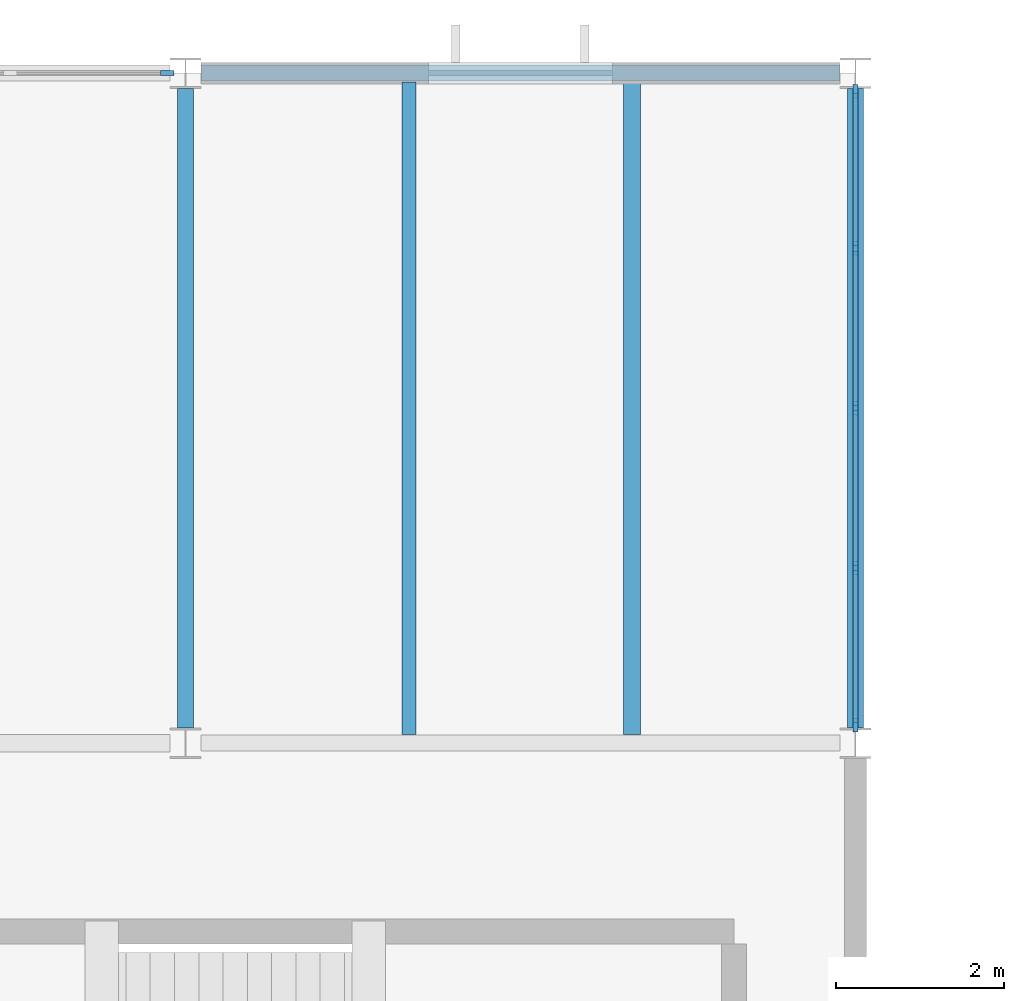
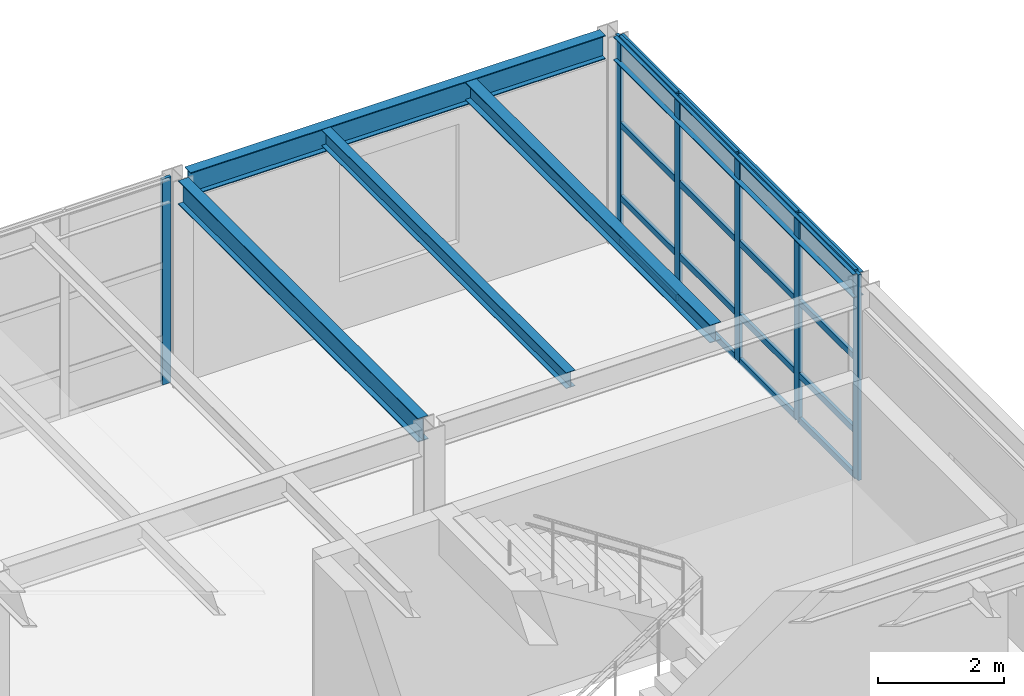
# One storey, part 30 of 50: 22 members, 5 beams, 2 elements without a shape of their own.
"""IFC4 building model written with IfcOpenShell, lengths in metres."""

from ifc_helpers import new_model, si_unit, direction, frame, origin, origin_2d, place, context, subcontext, project, spatial, rectangle, i_section, extrude, material, layer, layer_set, material_profile, profile_set, type_object, element, aggregate, save


model = new_model("IFC4")

# Units and contexts
model_context = context("Model", 3, precision=1e-05, world=origin(), true_north=direction((0.0, 1.0)))
body_context = subcontext(model_context, "Body", "Model", "MODEL_VIEW")
ifc_project = project(units=[si_unit("LENGTHUNIT", "METRE"), si_unit("AREAUNIT", "SQUARE_METRE"), si_unit("VOLUMEUNIT", "CUBIC_METRE"), si_unit("PLANEANGLEUNIT", "RADIAN"), si_unit("MASSUNIT", "GRAM", prefix="KILO")], contexts=[model_context])

# Site, building, storey
site_placement = place(None, origin())
site = spatial("IfcSite", under=ifc_project, at=site_placement, CompositionType="ELEMENT")
building_placement = place(site_placement, origin())
building = spatial("IfcBuilding", under=site, at=building_placement, Name="Varnela Railside Interchange", CompositionType="ELEMENT")
storey_placement = place(building_placement, frame((0.0, 0.0, 15.39990234375)))
storey = spatial("IfcBuildingStorey", under=building, at=storey_placement, Name="L03", CompositionType="ELEMENT", Elevation=15.39990234375)

# Beams
ifc_material_1 = material(Name="Steel AR 350 (350 MPa)", Category="steel")
ifc_material_profile_1 = material_profile(ifc_material_1, i_section(OverallWidth=0.1650390625, OverallDepth=0.31005859375, WebThickness=0.005859375, FlangeThickness=0.009765625, at=origin_2d()), Name="W310x38.7")
ifc_profile_set_1 = profile_set([ifc_material_profile_1], Name="Steel AR 350 (350 MPa)")
beam_type_1 = type_object("IfcBeamType", Name="Composite Floor Joist J-04", PredefinedType="JOIST", material=ifc_profile_set_1)
beam_1_placement = place(storey_placement, frame((134.669921875, 86.1044921875, 3.84521484375), z_axis=(0.0, 1.0, 0.0), x_axis=(-1.0, 0.0, 0.0)))
element("IfcBeam", 1, at=beam_1_placement, inside=storey, type_object=beam_type_1, Name="Composite Floor Joist J-04 (L03) (BM-2155)", PredefinedType="JOIST", context=body_context, shape_type="SweptSolid", body=[
    extrude(i_section(OverallWidth=0.1650390625, OverallDepth=0.31005859375, WebThickness=0.005859375, FlangeThickness=0.009765625, at=origin_2d()), origin(), (0.0, 0.0, 1.0), 7.791015625),
])
ifc_material_profile_2 = material_profile(ifc_material_1, i_section(OverallWidth=0.202880859375, OverallDepth=0.346923828125, WebThickness=0.0078125, FlangeThickness=0.013427734375, at=origin_2d()), Name="W360x64")
ifc_profile_set_2 = profile_set([ifc_material_profile_2], Name="Steel AR 350 (350 MPa)")
beam_type_2 = type_object("IfcBeamType", Name="Composite Heavy Joist J-01", PredefinedType="JOIST", material=ifc_profile_set_2)
beam_2_placement = place(storey_placement, frame((137.330078125, 86.1044921875, 3.82666015625), z_axis=(0.0, 1.0, 0.0), x_axis=(-1.0, 0.0, 0.0)))
element("IfcBeam", 2, at=beam_2_placement, inside=storey, type_object=beam_type_2, Name="Composite Heavy Joist J-01 (L03) (BM-2156)", PredefinedType="JOIST", context=body_context, shape_type="SweptSolid", body=[
    extrude(i_section(OverallWidth=0.202880859375, OverallDepth=0.346923828125, WebThickness=0.0078125, FlangeThickness=0.013427734375, at=origin_2d()), origin(), (0.0, 0.0, 1.0), 7.791015625),
])

# Curtain wall, member
ifc_material_2 = material(Name="Aluminium 6063-T6", Category="aluminium")
ifc_layer = layer(ifc_material_2, 0.035888671875)
ifc_layer_set = layer_set([ifc_layer], Name="Aluminium 6063-T6")
curtain_wall_type = type_object("IfcCurtainWallType", Name="Study Pavilion Gallery Curtain Wall CW-02", PredefinedType="USERDEFINED", material=ifc_layer_set)
curtain_wall_1_placement = place(storey_placement, origin())
curtain_wall_1 = element("IfcCurtainWall", 3, at=curtain_wall_1_placement, inside=storey, type_object=curtain_wall_type, Name="Curtain Wall CW-02 (L03) (CW-093)", ObjectType="CURTAIN WALL", PredefinedType="USERDEFINED")
ifc_material_profile_3 = material_profile(ifc_material_2, rectangle(XDim=0.06005859375, YDim=0.159912109375, at=origin_2d()), Name="ALU 60x160")
ifc_profile_set_3 = profile_set([ifc_material_profile_3], Name="Aluminium 6063-T6")
member_type_1 = type_object("IfcMemberType", Name="Curtain Wall Mullion ML-02", PredefinedType="MULLION", material=ifc_profile_set_3)
member_1_placement = place(storey_placement, frame((131.783447265625, 94.0, 0.0), z_axis=(0.0, 0.0, 1.0), x_axis=(0.0, 1.0, 0.0)))
member_1 = element("IfcMember", 4, at=member_1_placement, type_object=member_type_1, Name="CW-02 mullion 5", PredefinedType="MULLION", context=body_context, shape_type="SweptSolid", body=[
    extrude(rectangle(XDim=0.06005859375, YDim=0.159912109375, at=origin_2d()), origin(), (0.0, 0.0, 1.0), 4.0),
])
aggregate(curtain_wall_1, [member_1])

# Curtain wall, members
curtain_wall_2_placement = place(storey_placement, origin())
curtain_wall_2 = element("IfcCurtainWall", 5, at=curtain_wall_2_placement, inside=storey, type_object=curtain_wall_type, Name="Curtain Wall CW-02 (L03) (CW-095)", ObjectType="CURTAIN WALL", PredefinedType="USERDEFINED")
member_2_placement = place(storey_placement, frame((140.0, 93.785888671875, 0.0), z_axis=(0.0, 0.0, 1.0), x_axis=(1.0, 0.0, 0.0)))
member_2 = element("IfcMember", 6, at=member_2_placement, type_object=member_type_1, Name="CW-02 mullion 1", PredefinedType="MULLION", context=body_context, shape_type="SweptSolid", body=[
    extrude(rectangle(XDim=0.06005859375, YDim=0.159912109375, at=origin_2d()), origin(), (0.0, 0.0, 1.0), 4.0),
])
member_3_placement = place(storey_placement, frame((140.0, 91.907958984375, 0.0), z_axis=(0.0, 0.0, 1.0), x_axis=(1.0, 0.0, 0.0)))
member_3 = element("IfcMember", 7, at=member_3_placement, type_object=member_type_1, Name="CW-02 mullion 2", PredefinedType="MULLION", context=body_context, shape_type="SweptSolid", body=[
    extrude(rectangle(XDim=0.06005859375, YDim=0.159912109375, at=origin_2d()), origin(), (0.0, 0.0, 1.0), 4.0),
])
member_4_placement = place(storey_placement, frame((140.0, 90.0, 0.0), z_axis=(0.0, 0.0, 1.0), x_axis=(1.0, 0.0, 0.0)))
member_4 = element("IfcMember", 8, at=member_4_placement, type_object=member_type_1, Name="CW-02 mullion 3", PredefinedType="MULLION", context=body_context, shape_type="SweptSolid", body=[
    extrude(rectangle(XDim=0.06005859375, YDim=0.159912109375, at=origin_2d()), origin(), (0.0, 0.0, 1.0), 4.0),
])
member_5_placement = place(storey_placement, frame((140.0, 88.092041015625, 0.0), z_axis=(0.0, 0.0, 1.0), x_axis=(1.0, 0.0, 0.0)))
member_5 = element("IfcMember", 9, at=member_5_placement, type_object=member_type_1, Name="CW-02 mullion 4", PredefinedType="MULLION", context=body_context, shape_type="SweptSolid", body=[
    extrude(rectangle(XDim=0.06005859375, YDim=0.159912109375, at=origin_2d()), origin(), (0.0, 0.0, 1.0), 4.0),
])
member_6_placement = place(storey_placement, frame((140.0, 86.214111328125, 0.0), z_axis=(0.0, 0.0, 1.0), x_axis=(1.0, 0.0, 0.0)))
member_6 = element("IfcMember", 10, at=member_6_placement, type_object=member_type_1, Name="CW-02 mullion 5", PredefinedType="MULLION", context=body_context, shape_type="SweptSolid", body=[
    extrude(rectangle(XDim=0.06005859375, YDim=0.159912109375, at=origin_2d()), origin(), (0.0, 0.0, 1.0), 4.0),
])
ifc_material_profile_4 = material_profile(ifc_material_2, rectangle(XDim=0.06005859375, YDim=0.1201171875, at=origin_2d()), Name="ALU 60x120")
ifc_profile_set_4 = profile_set([ifc_material_profile_4], Name="Aluminium 6063-T6")
member_type_2 = type_object("IfcMemberType", Name="Curtain Wall Transom TR-02", PredefinedType="USERDEFINED", material=ifc_profile_set_4)
member_7_placement = place(storey_placement, frame((140.0, 93.756103515625, 0.030029296875), z_axis=(0.0, -1.0, 0.0), x_axis=(1.0, 0.0, 0.0)))
member_7 = element("IfcMember", 11, at=member_7_placement, type_object=member_type_2, Name="CW-02 transom 1.1", ObjectType="TRANSOM", PredefinedType="USERDEFINED", context=body_context, shape_type="SweptSolid", body=[
    extrude(rectangle(XDim=0.06005859375, YDim=0.1201171875, at=origin_2d()), origin(), (0.0, 0.0, 1.0), 1.818115234375),
])
member_8_placement = place(storey_placement, frame((140.0, 93.756103515625, 0.900146484375), z_axis=(0.0, -1.0, 0.0), x_axis=(1.0, 0.0, 0.0)))
member_8 = element("IfcMember", 12, at=member_8_placement, type_object=member_type_2, Name="CW-02 transom 1.2", ObjectType="TRANSOM", PredefinedType="USERDEFINED", context=body_context, shape_type="SweptSolid", body=[
    extrude(rectangle(XDim=0.06005859375, YDim=0.1201171875, at=origin_2d()), origin(), (0.0, 0.0, 1.0), 1.818115234375),
])
member_9_placement = place(storey_placement, frame((140.0, 93.756103515625, 2.320068359375), z_axis=(0.0, -1.0, 0.0), x_axis=(1.0, 0.0, 0.0)))
member_9 = element("IfcMember", 13, at=member_9_placement, type_object=member_type_2, Name="CW-02 transom 1.3", ObjectType="TRANSOM", PredefinedType="USERDEFINED", context=body_context, shape_type="SweptSolid", body=[
    extrude(rectangle(XDim=0.06005859375, YDim=0.1201171875, at=origin_2d()), origin(), (0.0, 0.0, 1.0), 1.818115234375),
])
member_10_placement = place(storey_placement, frame((140.0, 93.756103515625, 3.97021484375), z_axis=(0.0, -1.0, 0.0), x_axis=(1.0, 0.0, 0.0)))
member_10 = element("IfcMember", 14, at=member_10_placement, type_object=member_type_2, Name="CW-02 transom 1.4", ObjectType="TRANSOM", PredefinedType="USERDEFINED", context=body_context, shape_type="SweptSolid", body=[
    extrude(rectangle(XDim=0.06005859375, YDim=0.1201171875, at=origin_2d()), origin(), (0.0, 0.0, 1.0), 1.818115234375),
])
member_11_placement = place(storey_placement, frame((140.0, 91.8779296875, 0.030029296875), z_axis=(0.0, -1.0, 0.0), x_axis=(1.0, 0.0, 0.0)))
member_11 = element("IfcMember", 15, at=member_11_placement, type_object=member_type_2, Name="CW-02 transom 2.1", ObjectType="TRANSOM", PredefinedType="USERDEFINED", context=body_context, shape_type="SweptSolid", body=[
    extrude(rectangle(XDim=0.06005859375, YDim=0.1201171875, at=origin_2d()), origin(), (0.0, 0.0, 1.0), 1.847900390625),
])
member_12_placement = place(storey_placement, frame((140.0, 91.8779296875, 0.900146484375), z_axis=(0.0, -1.0, 0.0), x_axis=(1.0, 0.0, 0.0)))
member_12 = element("IfcMember", 16, at=member_12_placement, type_object=member_type_2, Name="CW-02 transom 2.2", ObjectType="TRANSOM", PredefinedType="USERDEFINED", context=body_context, shape_type="SweptSolid", body=[
    extrude(rectangle(XDim=0.06005859375, YDim=0.1201171875, at=origin_2d()), origin(), (0.0, 0.0, 1.0), 1.847900390625),
])
member_13_placement = place(storey_placement, frame((140.0, 91.8779296875, 2.320068359375), z_axis=(0.0, -1.0, 0.0), x_axis=(1.0, 0.0, 0.0)))
member_13 = element("IfcMember", 17, at=member_13_placement, type_object=member_type_2, Name="CW-02 transom 2.3", ObjectType="TRANSOM", PredefinedType="USERDEFINED", context=body_context, shape_type="SweptSolid", body=[
    extrude(rectangle(XDim=0.06005859375, YDim=0.1201171875, at=origin_2d()), origin(), (0.0, 0.0, 1.0), 1.847900390625),
])
member_14_placement = place(storey_placement, frame((140.0, 91.8779296875, 3.97021484375), z_axis=(0.0, -1.0, 0.0), x_axis=(1.0, 0.0, 0.0)))
member_14 = element("IfcMember", 18, at=member_14_placement, type_object=member_type_2, Name="CW-02 transom 2.4", ObjectType="TRANSOM", PredefinedType="USERDEFINED", context=body_context, shape_type="SweptSolid", body=[
    extrude(rectangle(XDim=0.06005859375, YDim=0.1201171875, at=origin_2d()), origin(), (0.0, 0.0, 1.0), 1.847900390625),
])
member_15_placement = place(storey_placement, frame((140.0, 89.969970703125, 0.030029296875), z_axis=(0.0, -1.0, 0.0), x_axis=(1.0, 0.0, 0.0)))
member_15 = element("IfcMember", 19, at=member_15_placement, type_object=member_type_2, Name="CW-02 transom 3.1", ObjectType="TRANSOM", PredefinedType="USERDEFINED", context=body_context, shape_type="SweptSolid", body=[
    extrude(rectangle(XDim=0.06005859375, YDim=0.1201171875, at=origin_2d()), origin(), (0.0, 0.0, 1.0), 1.847900390625),
])
member_16_placement = place(storey_placement, frame((140.0, 89.969970703125, 0.900146484375), z_axis=(0.0, -1.0, 0.0), x_axis=(1.0, 0.0, 0.0)))
member_16 = element("IfcMember", 20, at=member_16_placement, type_object=member_type_2, Name="CW-02 transom 3.2", ObjectType="TRANSOM", PredefinedType="USERDEFINED", context=body_context, shape_type="SweptSolid", body=[
    extrude(rectangle(XDim=0.06005859375, YDim=0.1201171875, at=origin_2d()), origin(), (0.0, 0.0, 1.0), 1.847900390625),
])
member_17_placement = place(storey_placement, frame((140.0, 89.969970703125, 2.320068359375), z_axis=(0.0, -1.0, 0.0), x_axis=(1.0, 0.0, 0.0)))
member_17 = element("IfcMember", 21, at=member_17_placement, type_object=member_type_2, Name="CW-02 transom 3.3", ObjectType="TRANSOM", PredefinedType="USERDEFINED", context=body_context, shape_type="SweptSolid", body=[
    extrude(rectangle(XDim=0.06005859375, YDim=0.1201171875, at=origin_2d()), origin(), (0.0, 0.0, 1.0), 1.847900390625),
])
member_18_placement = place(storey_placement, frame((140.0, 89.969970703125, 3.97021484375), z_axis=(0.0, -1.0, 0.0), x_axis=(1.0, 0.0, 0.0)))
member_18 = element("IfcMember", 22, at=member_18_placement, type_object=member_type_2, Name="CW-02 transom 3.4", ObjectType="TRANSOM", PredefinedType="USERDEFINED", context=body_context, shape_type="SweptSolid", body=[
    extrude(rectangle(XDim=0.06005859375, YDim=0.1201171875, at=origin_2d()), origin(), (0.0, 0.0, 1.0), 1.847900390625),
])
member_19_placement = place(storey_placement, frame((140.0, 88.06201171875, 0.030029296875), z_axis=(0.0, -1.0, 0.0), x_axis=(1.0, 0.0, 0.0)))
member_19 = element("IfcMember", 23, at=member_19_placement, type_object=member_type_2, Name="CW-02 transom 4.1", ObjectType="TRANSOM", PredefinedType="USERDEFINED", context=body_context, shape_type="SweptSolid", body=[
    extrude(rectangle(XDim=0.06005859375, YDim=0.1201171875, at=origin_2d()), origin(), (0.0, 0.0, 1.0), 1.818115234375),
])
member_20_placement = place(storey_placement, frame((140.0, 88.06201171875, 0.900146484375), z_axis=(0.0, -1.0, 0.0), x_axis=(1.0, 0.0, 0.0)))
member_20 = element("IfcMember", 24, at=member_20_placement, type_object=member_type_2, Name="CW-02 transom 4.2", ObjectType="TRANSOM", PredefinedType="USERDEFINED", context=body_context, shape_type="SweptSolid", body=[
    extrude(rectangle(XDim=0.06005859375, YDim=0.1201171875, at=origin_2d()), origin(), (0.0, 0.0, 1.0), 1.818115234375),
])
member_21_placement = place(storey_placement, frame((140.0, 88.06201171875, 2.320068359375), z_axis=(0.0, -1.0, 0.0), x_axis=(1.0, 0.0, 0.0)))
member_21 = element("IfcMember", 25, at=member_21_placement, type_object=member_type_2, Name="CW-02 transom 4.3", ObjectType="TRANSOM", PredefinedType="USERDEFINED", context=body_context, shape_type="SweptSolid", body=[
    extrude(rectangle(XDim=0.06005859375, YDim=0.1201171875, at=origin_2d()), origin(), (0.0, 0.0, 1.0), 1.818115234375),
])
member_22_placement = place(storey_placement, frame((140.0, 88.06201171875, 3.97021484375), z_axis=(0.0, -1.0, 0.0), x_axis=(1.0, 0.0, 0.0)))
member_22 = element("IfcMember", 26, at=member_22_placement, type_object=member_type_2, Name="CW-02 transom 4.4", ObjectType="TRANSOM", PredefinedType="USERDEFINED", context=body_context, shape_type="SweptSolid", body=[
    extrude(rectangle(XDim=0.06005859375, YDim=0.1201171875, at=origin_2d()), origin(), (0.0, 0.0, 1.0), 1.818115234375),
])
aggregate(curtain_wall_2, [member_2, member_3, member_4, member_5, member_6, member_7, member_8, member_9, member_10, member_11, member_12, member_13, member_14, member_15, member_16, member_17, member_18, member_19, member_20, member_21, member_22])

# Beams
ifc_material_profile_5 = material_profile(ifc_material_1, i_section(OverallWidth=0.19091796875, OverallDepth=0.4599609375, WebThickness=0.010009765625, FlangeThickness=0.01611328125, at=origin_2d()), Name="W460x82")
ifc_profile_set_5 = profile_set([ifc_material_profile_5], Name="Steel AR 350 (350 MPa)")
beam_type_3 = type_object("IfcBeamType", Name="Steel Perimeter Spandrel SP-01", PredefinedType="SPANDREL", material=ifc_profile_set_5)
beam_3_placement = place(storey_placement, frame((132.1865234375, 94.0, 3.77001953125), z_axis=(1.0, 0.0, 0.0), x_axis=(0.0, 1.0, 0.0)))
element("IfcBeam", 27, at=beam_3_placement, inside=storey, type_object=beam_type_3, Name="Steel Perimeter Spandrel SP-01 (L03) (BM-2270)", PredefinedType="SPANDREL", context=body_context, shape_type="SweptSolid", body=[
    extrude(i_section(OverallWidth=0.19091796875, OverallDepth=0.4599609375, WebThickness=0.010009765625, FlangeThickness=0.01611328125, at=origin_2d()), origin(), (0.0, 0.0, 1.0), 7.626953125),
])
for number, where, z_axis, x_axis, name in (
    (28, (132.0, 86.18408203125, 3.77001953125), (0.0, 1.0, 0.0), (-1.0, 0.0, 0.0), "Steel Perimeter Spandrel SP-01 (L03) (BM-2294)"),
    (29, (140.0, 86.18408203125, 3.77001953125), (0.0, 1.0, 0.0), (-1.0, 0.0, 0.0), "Steel Perimeter Spandrel SP-01 (L03) (BM-2301)"),
):
    element("IfcBeam", number, at=place(storey_placement, frame(where, z_axis=z_axis, x_axis=x_axis)), inside=storey, type_object=beam_type_3, Name=name, PredefinedType="SPANDREL", context=body_context, shape_type="SweptSolid", body=[
        extrude(i_section(OverallWidth=0.19091796875, OverallDepth=0.4599609375, WebThickness=0.010009765625, FlangeThickness=0.01611328125, at=origin_2d()), origin(), (0.0, 0.0, 1.0), 7.6318359375),
    ])

save(model, "model.ifc")
